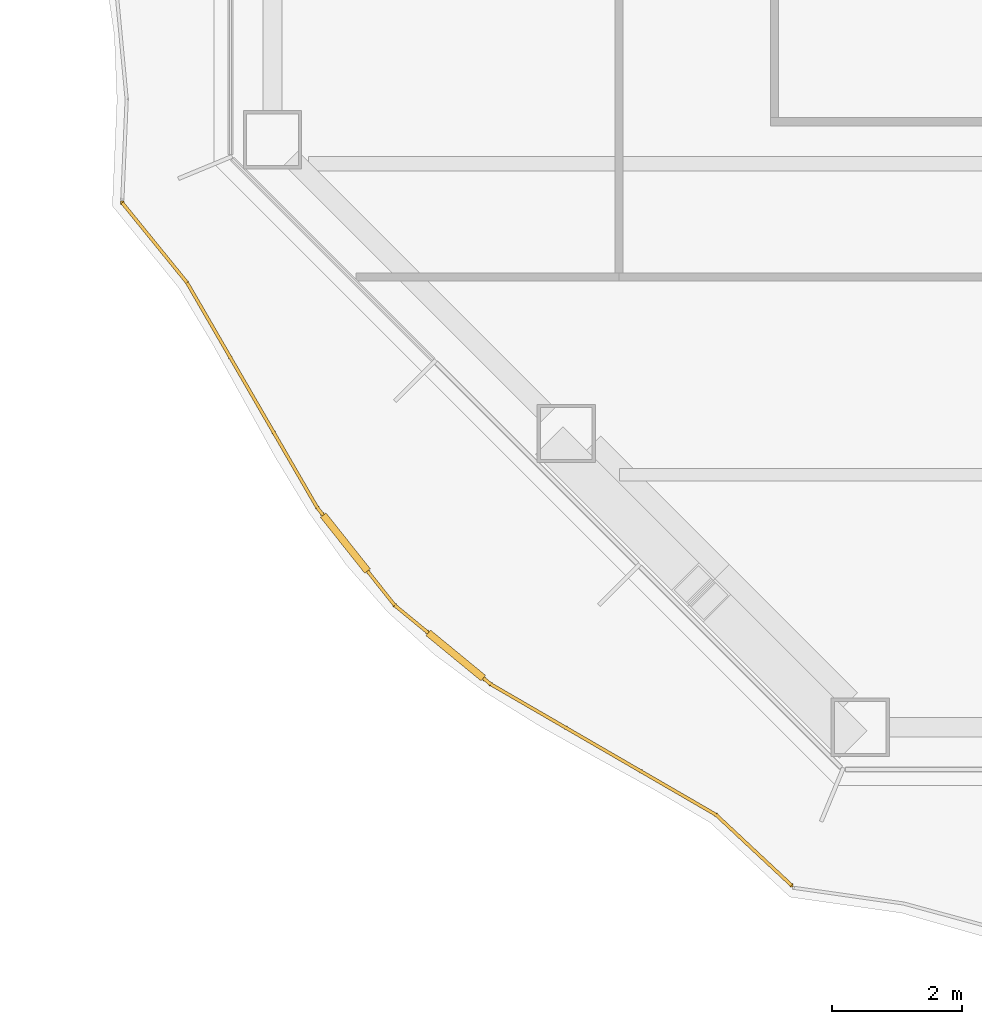
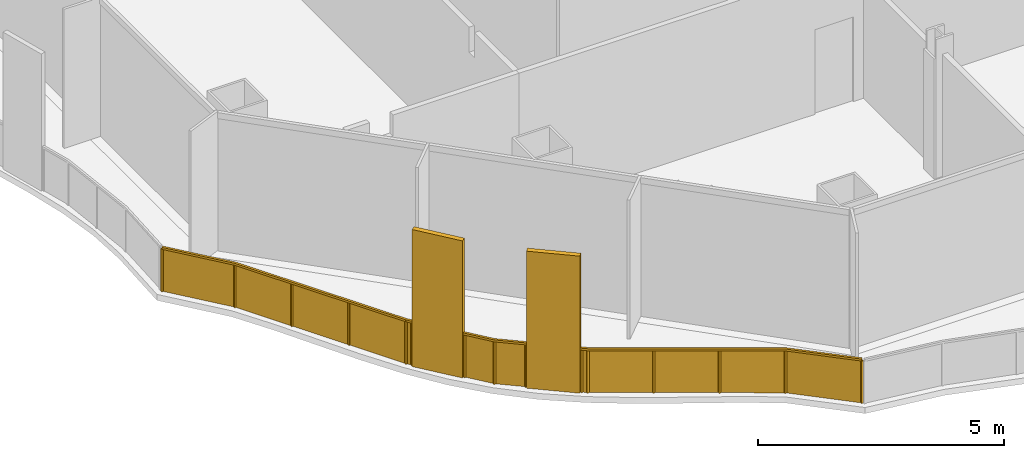
# One storey, part 15 of 21: 1 railing.
"""IFC4 building model written with IfcOpenShell, lengths in metres."""

import ifcopenshell
import ifcopenshell.guid

model = None  # the IFC model being written
_history = None  # IfcOwnerHistory: only IFC2X3 demands one
_inside = {}  # id of a spatial element -> (the spatial element, [elements in it])
_under = {}  # id of a project, library or spatial element -> (it, [spatial elements below it])
_declared = {}  # id of a project -> (the project, [libraries it declares])
_typed = {}  # id of a type object -> (the type object, [elements of that type])
_made_of = {}  # id of a material, layer set ... -> (it, [elements and type objects made of it])


def new_model(schema):
    """Start an empty IFC model of exactly this schema.

    Asked for "IFC4X3", IfcOpenShell would pick the latest addendum, in which some entities
    have other attributes; the version numbers below select the first issue.
    IFC2X3 requires an IfcOwnerHistory on every rooted entity: one is made here for all.
    """
    global model, _history
    if schema == "IFC4X3":
        model = ifcopenshell.file(schema_version=(4, 3, 0, 0))
    else:
        model = ifcopenshell.file(schema=schema)
    _inside.clear()
    _under.clear()
    _declared.clear()
    _typed.clear()
    _made_of.clear()
    _history = None
    if model.schema == "IFC2X3":
        org = make("IfcOrganization", Name="unknown")
        user = make(
            "IfcPersonAndOrganization",
            ThePerson=make("IfcPerson", FamilyName="unknown"),
            TheOrganization=org,
        )
        app = make(
            "IfcApplication",
            ApplicationDeveloper=org,
            Version="unknown",
            ApplicationFullName="unknown",
            ApplicationIdentifier="unknown",
        )
        _history = make(
            "IfcOwnerHistory",
            OwningUser=user,
            OwningApplication=app,
            ChangeAction="ADDED",
            CreationDate=0,
        )
    return model


def make(cls, **values):
    """One entity of the class cls with the attributes given. An attribute that is None is left unset."""
    return model.create_entity(
        cls, **{name: value for name, value in values.items() if value is not None}
    )


def rooted(cls, **values):
    """An entity with a GlobalId (a new one), such as an element, a storey or a relation."""
    return make(cls, GlobalId=ifcopenshell.guid.new(), OwnerHistory=_history, **values)


def si_unit(unit_type, name, prefix=None):
    """IfcSIUnit, for example si_unit("LENGTHUNIT", "METRE", prefix="MILLI")."""
    return make("IfcSIUnit", UnitType=unit_type, Prefix=prefix, Name=name)


def assignment(units):
    """IfcUnitAssignment: the units of a project."""
    return None if units is None else make("IfcUnitAssignment", Units=units)


def point(xyz):
    """IfcCartesianPoint."""
    return None if xyz is None else make("IfcCartesianPoint", Coordinates=xyz)


def direction(xyz):
    """IfcDirection."""
    return None if xyz is None else make("IfcDirection", DirectionRatios=xyz)


def frame(location, z_axis=None, x_axis=None):
    """IfcAxis2Placement3D, a coordinate frame: its origin and axes. An axis left out is left unset."""
    return make(
        "IfcAxis2Placement3D",
        Location=point(location),
        Axis=direction(z_axis),
        RefDirection=direction(x_axis),
    )


def frame_2d(location, x_axis=None):
    """IfcAxis2Placement2D, a coordinate frame in the plane: its origin and x axis."""
    return make(
        "IfcAxis2Placement2D", Location=point(location), RefDirection=direction(x_axis)
    )


def origin():
    """The frame at (0, 0, 0) with its axes left unset."""
    return frame((0.0, 0.0, 0.0))


def origin_2d():
    """The frame at (0, 0) in the plane with its x axis left unset."""
    return frame_2d((0.0, 0.0))


def place(relative_to, where):
    """IfcLocalPlacement: puts the frame where relative to a parent placement (None: the world)."""
    return make(
        "IfcLocalPlacement", PlacementRelTo=relative_to, RelativePlacement=where
    )


def context(
    kind, dimensions, precision=None, world=None, true_north=None, identifier=None
):
    """IfcGeometricRepresentationContext, for example the 3D "Model" context."""
    return make(
        "IfcGeometricRepresentationContext",
        ContextIdentifier=identifier,
        ContextType=kind,
        CoordinateSpaceDimension=dimensions,
        Precision=precision,
        WorldCoordinateSystem=world,
        TrueNorth=true_north,
    )


def subcontext(parent, identifier, kind, view, scale=None):
    """IfcGeometricRepresentationSubContext, for example "Body" below "Model"."""
    return make(
        "IfcGeometricRepresentationSubContext",
        ContextIdentifier=identifier,
        ContextType=kind,
        ParentContext=parent,
        TargetScale=scale,
        TargetView=view,
    )


def project(units=None, contexts=None):
    """IfcProject with its units and contexts."""
    return rooted(
        "IfcProject",
        Name="project",
        RepresentationContexts=contexts,
        UnitsInContext=assignment(units),
    )


def spatial(cls, under=None, at=None, **own):
    """A site, building, storey or space (cls), placed at a placement, below another one or the project."""
    s = rooted(cls, ObjectPlacement=at, **own)
    if under is not None:
        _under.setdefault(under.id(), (under, []))[1].append(s)
    return s


def polyline(points):
    """IfcPolyline through the points."""
    return make("IfcPolyline", Points=[point(p) for p in points])


def profile(cls, at=None, kind="AREA", **sizes):
    """A parametric profile (cls). Its sizes go by their IFC names, for example OverallWidth=200.0."""
    return make(cls, ProfileType=kind, Position=at, **sizes)


def rectangle(**sizes):
    """IfcRectangleProfileDef."""
    return profile("IfcRectangleProfileDef", **sizes)


def outline(outer, holes=None, kind="AREA"):
    """IfcArbitraryClosedProfileDef: a profile drawn as a closed curve; with holes, ...WithVoids."""
    if holes is None:
        return make("IfcArbitraryClosedProfileDef", ProfileType=kind, OuterCurve=outer)
    return make(
        "IfcArbitraryProfileDefWithVoids",
        ProfileType=kind,
        OuterCurve=outer,
        InnerCurves=holes,
    )


def extrude(swept, where, along, depth):
    """IfcExtrudedAreaSolid: the profile swept, set in the frame where, extruded along a direction by depth."""
    return make(
        "IfcExtrudedAreaSolid",
        SweptArea=swept,
        Position=where,
        ExtrudedDirection=direction(along),
        Depth=depth,
    )


def shape(context_of_items, identifier, shape_type, items):
    """IfcShapeRepresentation: the items that make up one representation, for example the "Body"."""
    return make(
        "IfcShapeRepresentation",
        ContextOfItems=context_of_items,
        RepresentationIdentifier=identifier,
        RepresentationType=shape_type,
        Items=items,
    )


def material(Name=None, Category=None):
    """IfcMaterial."""
    return make("IfcMaterial", Name=Name, Category=Category)


def made_of(thing, what):
    """Note that an element or type object is made of a material, layer set ...; save() writes the relation."""
    if what is not None:
        _made_of.setdefault(what.id(), (what, []))[1].append(thing)
    return thing


def type_object(cls, material=None, **own):
    """A type object (cls), such as IfcWallType, which elements share."""
    return made_of(rooted(cls, **own), material)


def element(
    cls,
    number,
    at=None,
    inside=None,
    cuts=None,
    type_object=None,
    material=None,
    context=None,
    identifier="Body",
    shape_type=None,
    held_by="IfcProductDefinitionShape",
    body=None,
    shapes=None,
    **own,
):
    """One element of the class cls, such as IfcWall. Its Tag is "e" and its number.

    at: its placement. inside: the storey or other place that contains it. cuts: it is an
    opening in that element (IfcRelVoidsElement). A single representation is given by context,
    identifier, shape_type and body (its items); several are given by shapes. held_by: the class
    of the entity that holds the representations. save() writes the other relations.
    """
    e = rooted(cls, Tag="e%d" % number, ObjectPlacement=at, **own)
    if body is not None:
        shapes = [shape(context, identifier, shape_type, body)]
    if shapes is not None:
        e.Representation = make(held_by, Representations=shapes)
    if inside is not None:
        _inside.setdefault(inside.id(), (inside, []))[1].append(e)
    if cuts is not None:
        rooted(
            "IfcRelVoidsElement", RelatingBuildingElement=cuts, RelatedOpeningElement=e
        )
    if type_object is not None:
        _typed.setdefault(type_object.id(), (type_object, []))[1].append(e)
    return made_of(e, material)


def aggregate(whole, parts):
    """IfcRelAggregates: a whole, such as a stair, and the parts it consists of."""
    return rooted("IfcRelAggregates", RelatingObject=whole, RelatedObjects=parts)


def save(model, path):
    """Write the relations noted so far, then the file.

    IfcRelAggregates (storeys below a building ...), IfcRelContainedInSpatialStructure (elements
    in a storey), IfcRelDefinesByType, IfcRelAssociatesMaterial and IfcRelDeclares: one each for
    every whole, place, type object, material and project.
    """
    for whole, parts in _under.values():
        aggregate(whole, parts)
    for where, things in _inside.values():
        rooted(
            "IfcRelContainedInSpatialStructure",
            RelatedElements=things,
            RelatingStructure=where,
        )
    for kind, things in _typed.values():
        rooted("IfcRelDefinesByType", RelatedObjects=things, RelatingType=kind)
    for what, things in _made_of.values():
        rooted("IfcRelAssociatesMaterial", RelatedObjects=things, RelatingMaterial=what)
    for by, libraries in _declared.values():
        rooted("IfcRelDeclares", RelatingContext=by, RelatedDefinitions=libraries)
    model.write(path)


model = new_model("IFC4")

# Units and contexts
model_context = context("Model", 3, precision=1e-05, world=origin(), true_north=direction((0.0, 1.0)))
body_context = subcontext(model_context, "Body", "Model", "MODEL_VIEW")
ifc_project = project(units=[si_unit("LENGTHUNIT", "METRE"), si_unit("AREAUNIT", "SQUARE_METRE"), si_unit("VOLUMEUNIT", "CUBIC_METRE"), si_unit("PLANEANGLEUNIT", "RADIAN"), si_unit("MASSUNIT", "GRAM", prefix="KILO")], contexts=[model_context])

# Site, building, storey
site_placement = place(None, origin())
site = spatial("IfcSite", under=ifc_project, at=site_placement, CompositionType="ELEMENT")
building_placement = place(site_placement, origin())
building = spatial("IfcBuilding", under=site, at=building_placement, Name="Cairn Pilgrim Tower", CompositionType="ELEMENT")
storey_placement = place(building_placement, frame((0.0, 0.0, 69.0)))
storey = spatial("IfcBuildingStorey", under=building, at=storey_placement, Name="L15", CompositionType="ELEMENT", Elevation=69.0)

# Railing
ifc_material = material(Name="Bronze anodised aluminium rail, posts and fin screens with laminated glass infill", Category="aluminium")
railing_type = type_object("IfcRailingType", Name="BALCONY GUARD WITH FIN SCREENS", PredefinedType="GUARDRAIL", material=ifc_material)
railing_placement = place(storey_placement, frame((-30.22021484375, -15.0009765625, 0.0)))
element("IfcRailing", 1, at=railing_placement, inside=storey, type_object=railing_type, Name="Balcony guard BGF-8 with fin screens", PredefinedType="GUARDRAIL", context=body_context, shape_type="SweptSolid", body=[
    extrude(rectangle(XDim=0.050048828125, YDim=0.050048828125, at=origin_2d()), frame((0.0, 0.0, 1.0751953125), z_axis=(0.630389614518, -0.77627890214, 0.0), x_axis=(0.77627890214, 0.630389614518, 0.0)), (0.0, 0.0, 1.0), 1.584716796875),
    extrude(rectangle(XDim=0.050048828125, YDim=0.050048828125, at=origin_2d()), frame((0.9990234375, -1.230224609375, 1.0751953125), z_axis=(0.500858909733, -0.865528943792, 0.0), x_axis=(0.865528943792, 0.500858909733, 0.0)), (0.0, 0.0, 1.0), 4.015625),
    extrude(rectangle(XDim=1.10009765625, YDim=0.110107421875, at=origin_2d()), frame((3.4453125, -5.254150390625, 0.0), z_axis=(0.0, 0.0, 1.0), x_axis=(0.621426918498, -0.783472134135, 0.0)), (0.0, 0.0, 1.0), 3.39990234375),
    extrude(rectangle(XDim=0.050048828125, YDim=0.050048828125, at=origin_2d()), frame((3.01025390625, -4.705810546875, 1.0751953125), z_axis=(0.621426918498, -0.783472134135, 0.0), x_axis=(0.783472134135, 0.621426918498, 0.0)), (0.0, 0.0, 1.0), 0.14990234375),
    extrude(rectangle(XDim=0.050048828125, YDim=0.050048828125, at=origin_2d()), frame((3.787109375, -5.68505859375, 1.0751953125), z_axis=(0.621426918498, -0.783472134135, 0.0), x_axis=(0.783472134135, 0.621426918498, 0.0)), (0.0, 0.0, 1.0), 0.675537109375),
    extrude(rectangle(XDim=1.10009765625, YDim=0.110107421875, at=origin_2d()), frame((5.14990234375, -6.989013671875, 0.0), z_axis=(0.0, 0.0, 1.0), x_axis=(0.772755201568, -0.634704181844, 0.0)), (0.0, 0.0, 1.0), 3.39990234375),
    extrude(rectangle(XDim=0.050048828125, YDim=0.050048828125, at=origin_2d()), frame((4.206787109375, -6.21435546875, 1.0751953125), z_axis=(0.772755201568, -0.634704181844, 0.0), x_axis=(0.634704181844, 0.772755201568, 0.0)), (0.0, 0.0, 1.0), 0.67041015625),
    extrude(rectangle(XDim=0.050048828125, YDim=0.050048828125, at=origin_2d()), frame((5.574951171875, -7.338134765625, 1.0751953125), z_axis=(0.772755201568, -0.634704181844, 0.0), x_axis=(0.634704181844, 0.772755201568, 0.0)), (0.0, 0.0, 1.0), 0.150146484375),
    extrude(rectangle(XDim=0.050048828125, YDim=0.050048828125, at=origin_2d()), frame((5.69091796875, -7.433349609375, 1.0751953125), z_axis=(0.865130833056, -0.501546250805, 0.0), x_axis=(0.501546250805, 0.865130833056, 0.0)), (0.0, 0.0, 1.0), 4.018798828125),
    extrude(rectangle(XDim=0.050048828125, YDim=0.050048828125, at=origin_2d()), frame((9.167724609375, -9.448974609375, 1.0751953125), z_axis=(0.730983904306, -0.682394703705, 0.0), x_axis=(0.682394703705, 0.730983904306, 0.0)), (0.0, 0.0, 1.0), 1.5927734375),
    extrude(rectangle(XDim=0.050048828125, YDim=0.050048828125, at=origin_2d()), origin(), (0.0, 0.0, 1.0), 1.050048828125),
    extrude(rectangle(XDim=0.050048828125, YDim=0.050048828125, at=origin_2d()), frame((0.9990234375, -1.230224609375, 0.0)), (0.0, 0.0, 1.0), 1.050048828125),
    extrude(rectangle(XDim=0.050048828125, YDim=0.050048828125, at=origin_2d()), frame((1.66943359375, -2.388671875, 0.0)), (0.0, 0.0, 1.0), 1.050048828125),
    extrude(rectangle(XDim=0.050048828125, YDim=0.050048828125, at=origin_2d()), frame((2.33984375, -3.54736328125, 0.0)), (0.0, 0.0, 1.0), 1.050048828125),
    extrude(rectangle(XDim=0.050048828125, YDim=0.050048828125, at=origin_2d()), frame((3.01025390625, -4.705810546875, 0.0)), (0.0, 0.0, 1.0), 1.050048828125),
    extrude(rectangle(XDim=0.050048828125, YDim=0.050048828125, at=origin_2d()), frame((3.087890625, -4.8037109375, 0.0)), (0.0, 0.0, 1.0), 1.050048828125),
    extrude(rectangle(XDim=0.050048828125, YDim=0.050048828125, at=origin_2d()), frame((3.802490234375, -5.704833984375, 0.0)), (0.0, 0.0, 1.0), 1.050048828125),
    extrude(rectangle(XDim=0.050048828125, YDim=0.050048828125, at=origin_2d()), frame((4.206787109375, -6.21435546875, 0.0)), (0.0, 0.0, 1.0), 1.050048828125),
    extrude(rectangle(XDim=0.050048828125, YDim=0.050048828125, at=origin_2d()), frame((4.70556640625, -6.6240234375, 0.0)), (0.0, 0.0, 1.0), 1.050048828125),
    extrude(rectangle(XDim=0.050048828125, YDim=0.050048828125, at=origin_2d()), frame((5.59423828125, -7.35400390625, 0.0)), (0.0, 0.0, 1.0), 1.050048828125),
    extrude(rectangle(XDim=0.050048828125, YDim=0.050048828125, at=origin_2d()), frame((5.69091796875, -7.433349609375, 0.0)), (0.0, 0.0, 1.0), 1.050048828125),
    extrude(rectangle(XDim=0.050048828125, YDim=0.050048828125, at=origin_2d()), frame((6.849853515625, -8.105224609375, 0.0)), (0.0, 0.0, 1.0), 1.050048828125),
    extrude(rectangle(XDim=0.050048828125, YDim=0.050048828125, at=origin_2d()), frame((8.0087890625, -8.777099609375, 0.0)), (0.0, 0.0, 1.0), 1.050048828125),
    extrude(rectangle(XDim=0.050048828125, YDim=0.050048828125, at=origin_2d()), frame((9.167724609375, -9.448974609375, 0.0)), (0.0, 0.0, 1.0), 1.050048828125),
    extrude(rectangle(XDim=0.050048828125, YDim=0.050048828125, at=origin_2d()), frame((10.33203125, -10.535888671875, 0.0)), (0.0, 0.0, 1.0), 1.050048828125),
    extrude(outline(polyline([(0.02490234375, 0.0), (1.559814453125, 0.0), (1.559814453125, 1.050048828125), (0.02490234375, 1.050048828125), (0.02490234375, 0.0)])), frame((0.004638671875, 0.003662109375, 0.0), z_axis=(-0.77627890214, -0.630389614518, 0.0), x_axis=(0.630389614518, -0.77627890214, 0.0)), (0.0, 0.0, 1.0), 0.011962890625),
    extrude(outline(polyline([(0.02490234375, 0.0), (1.3134765625, 0.0), (1.3134765625, 1.050048828125), (0.02490234375, 1.050048828125), (0.02490234375, 0.0)])), frame((1.004150390625, -1.227294921875, 0.0), z_axis=(-0.865528943792, -0.500858909733, 0.0), x_axis=(0.500858909733, -0.865528943792, 0.0)), (0.0, 0.0, 1.0), 0.011962890625),
    extrude(outline(polyline([(0.02490234375, 0.0), (1.3134765625, 0.0), (1.3134765625, 1.050048828125), (0.02490234375, 1.050048828125), (0.02490234375, 0.0)])), frame((1.674560546875, -2.3857421875, 0.0), z_axis=(-0.865528943792, -0.500858909733, 0.0), x_axis=(0.500858909733, -0.865528943792, 0.0)), (0.0, 0.0, 1.0), 0.011962890625),
    extrude(outline(polyline([(0.02490234375, 0.0), (1.3134765625, 0.0), (1.3134765625, 1.050048828125), (0.02490234375, 1.050048828125), (0.02490234375, 0.0)])), frame((2.344970703125, -3.544189453125, 0.0), z_axis=(-0.865528943792, -0.500858909733, 0.0), x_axis=(0.500858909733, -0.865528943792, 0.0)), (0.0, 0.0, 1.0), 0.011962890625),
    extrude(outline(polyline([(0.02490234375, 0.0), (0.099853515625, 0.0), (0.099853515625, 1.050048828125), (0.02490234375, 1.050048828125), (0.02490234375, 0.0)])), frame((3.014892578125, -4.7021484375, 0.0), z_axis=(-0.783472134135, -0.621426918498, 0.0), x_axis=(0.621426918498, -0.783472134135, 0.0)), (0.0, 0.0, 1.0), 0.011962890625),
    extrude(outline(polyline([(0.02490234375, 0.0), (0.62548828125, 0.0), (0.62548828125, 1.050048828125), (0.02490234375, 1.050048828125), (0.02490234375, 0.0)])), frame((3.807373046875, -5.700927734375, 0.0), z_axis=(-0.783472134135, -0.621426918498, 0.0), x_axis=(0.621426918498, -0.783472134135, 0.0)), (0.0, 0.0, 1.0), 0.011962890625),
    extrude(outline(polyline([(0.02490234375, 0.0), (0.620361328125, 0.0), (0.620361328125, 1.050048828125), (0.02490234375, 1.050048828125), (0.02490234375, 0.0)])), frame((4.210693359375, -6.209716796875, 0.0), z_axis=(-0.634704181844, -0.772755201568, 0.0), x_axis=(0.772755201568, -0.634704181844, 0.0)), (0.0, 0.0, 1.0), 0.011962890625),
    extrude(outline(polyline([(0.02490234375, 0.0), (0.10009765625, 0.0), (0.10009765625, 1.050048828125), (0.02490234375, 1.050048828125), (0.02490234375, 0.0)])), frame((5.59814453125, -7.349365234375, 0.0), z_axis=(-0.634704181844, -0.772755201568, 0.0), x_axis=(0.772755201568, -0.634704181844, 0.0)), (0.0, 0.0, 1.0), 0.011962890625),
    extrude(outline(polyline([(0.02490234375, 0.0), (1.314697265625, 0.0), (1.314697265625, 1.050048828125), (0.02490234375, 1.050048828125), (0.02490234375, 0.0)])), frame((5.69384765625, -7.42822265625, 0.0), z_axis=(-0.501546250805, -0.865130833056, 0.0), x_axis=(0.865130833056, -0.501546250805, 0.0)), (0.0, 0.0, 1.0), 0.011962890625),
    extrude(outline(polyline([(0.02490234375, 0.0), (1.314697265625, 0.0), (1.314697265625, 1.050048828125), (0.02490234375, 1.050048828125), (0.02490234375, 0.0)])), frame((6.852783203125, -8.10009765625, 0.0), z_axis=(-0.501546250805, -0.865130833056, 0.0), x_axis=(0.865130833056, -0.501546250805, 0.0)), (0.0, 0.0, 1.0), 0.011962890625),
    extrude(outline(polyline([(0.02490234375, 0.0), (1.314697265625, 0.0), (1.314697265625, 1.050048828125), (0.02490234375, 1.050048828125), (0.02490234375, 0.0)])), frame((8.01171875, -8.77197265625, 0.0), z_axis=(-0.501546250805, -0.865130833056, 0.0), x_axis=(0.865130833056, -0.501546250805, 0.0)), (0.0, 0.0, 1.0), 0.011962890625),
    extrude(outline(polyline([(0.02490234375, 0.0), (1.56787109375, 0.0), (1.56787109375, 1.050048828125), (0.02490234375, 1.050048828125), (0.02490234375, 0.0)])), frame((9.171875, -9.444580078125, 0.0), z_axis=(-0.682394703705, -0.730983904306, 0.0), x_axis=(0.730983904306, -0.682394703705, 0.0)), (0.0, 0.0, 1.0), 0.011962890625),
])

save(model, "model.ifc")
